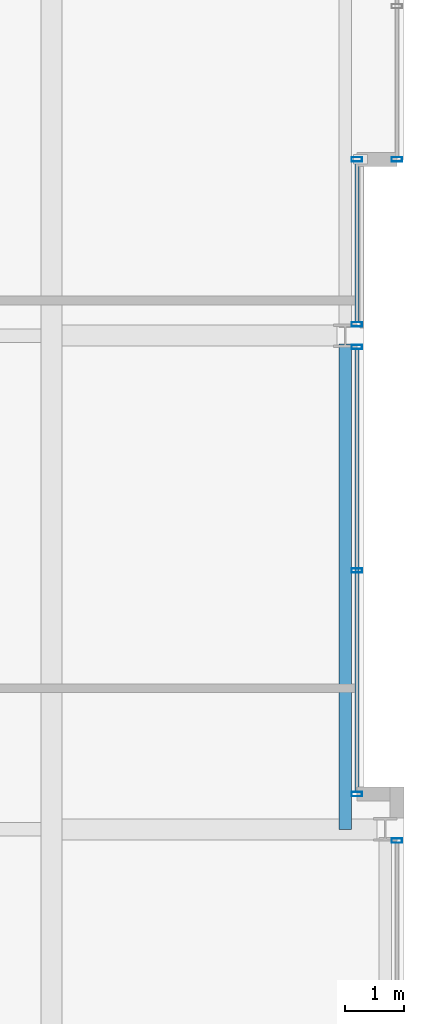
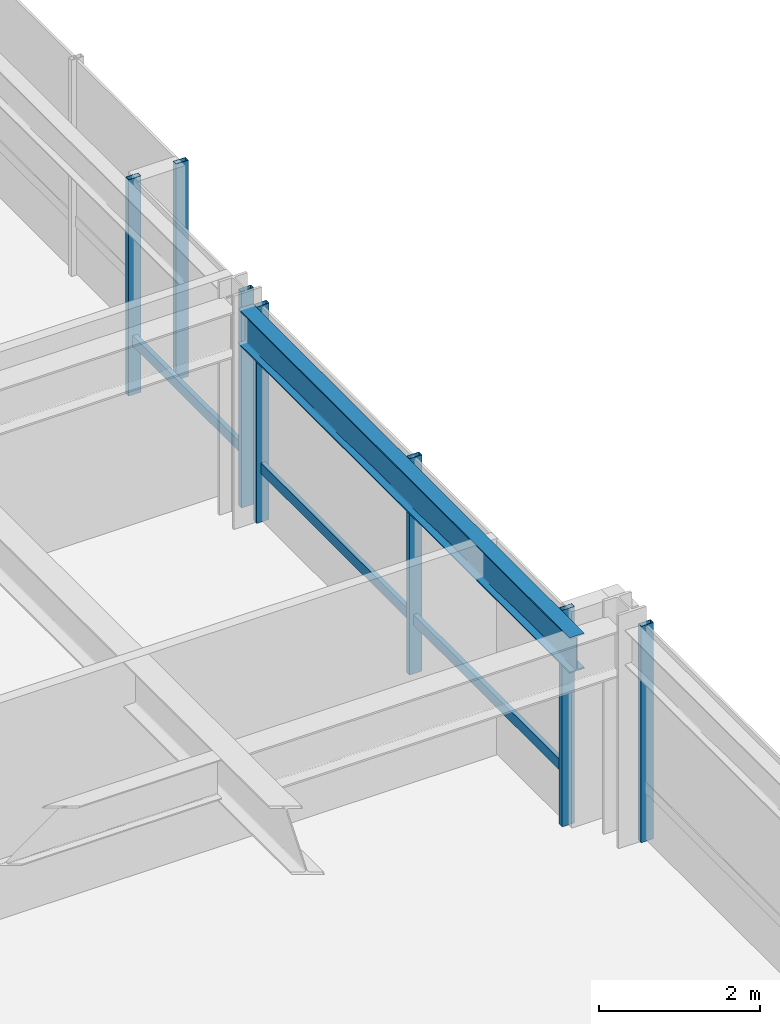
# One storey, part 15 of 32: 9 members, 1 beam, 4 elements without a shape of their own.
"""IFC4 building model written with IfcOpenShell, lengths in metres."""

import ifcopenshell
import ifcopenshell.guid

model = None  # the IFC model being written
_history = None  # IfcOwnerHistory: only IFC2X3 demands one
_inside = {}  # id of a spatial element -> (the spatial element, [elements in it])
_under = {}  # id of a project, library or spatial element -> (it, [spatial elements below it])
_declared = {}  # id of a project -> (the project, [libraries it declares])
_typed = {}  # id of a type object -> (the type object, [elements of that type])
_made_of = {}  # id of a material, layer set ... -> (it, [elements and type objects made of it])


def new_model(schema):
    """Start an empty IFC model of exactly this schema.

    Asked for "IFC4X3", IfcOpenShell would pick the latest addendum, in which some entities
    have other attributes; the version numbers below select the first issue.
    IFC2X3 requires an IfcOwnerHistory on every rooted entity: one is made here for all.
    """
    global model, _history
    if schema == "IFC4X3":
        model = ifcopenshell.file(schema_version=(4, 3, 0, 0))
    else:
        model = ifcopenshell.file(schema=schema)
    _inside.clear()
    _under.clear()
    _declared.clear()
    _typed.clear()
    _made_of.clear()
    _history = None
    if model.schema == "IFC2X3":
        org = make("IfcOrganization", Name="unknown")
        user = make(
            "IfcPersonAndOrganization",
            ThePerson=make("IfcPerson", FamilyName="unknown"),
            TheOrganization=org,
        )
        app = make(
            "IfcApplication",
            ApplicationDeveloper=org,
            Version="unknown",
            ApplicationFullName="unknown",
            ApplicationIdentifier="unknown",
        )
        _history = make(
            "IfcOwnerHistory",
            OwningUser=user,
            OwningApplication=app,
            ChangeAction="ADDED",
            CreationDate=0,
        )
    return model


def make(cls, **values):
    """One entity of the class cls with the attributes given. An attribute that is None is left unset."""
    return model.create_entity(
        cls, **{name: value for name, value in values.items() if value is not None}
    )


def rooted(cls, **values):
    """An entity with a GlobalId (a new one), such as an element, a storey or a relation."""
    return make(cls, GlobalId=ifcopenshell.guid.new(), OwnerHistory=_history, **values)


def si_unit(unit_type, name, prefix=None):
    """IfcSIUnit, for example si_unit("LENGTHUNIT", "METRE", prefix="MILLI")."""
    return make("IfcSIUnit", UnitType=unit_type, Prefix=prefix, Name=name)


def assignment(units):
    """IfcUnitAssignment: the units of a project."""
    return None if units is None else make("IfcUnitAssignment", Units=units)


def point(xyz):
    """IfcCartesianPoint."""
    return None if xyz is None else make("IfcCartesianPoint", Coordinates=xyz)


def direction(xyz):
    """IfcDirection."""
    return None if xyz is None else make("IfcDirection", DirectionRatios=xyz)


def frame(location, z_axis=None, x_axis=None):
    """IfcAxis2Placement3D, a coordinate frame: its origin and axes. An axis left out is left unset."""
    return make(
        "IfcAxis2Placement3D",
        Location=point(location),
        Axis=direction(z_axis),
        RefDirection=direction(x_axis),
    )


def frame_2d(location, x_axis=None):
    """IfcAxis2Placement2D, a coordinate frame in the plane: its origin and x axis."""
    return make(
        "IfcAxis2Placement2D", Location=point(location), RefDirection=direction(x_axis)
    )


def origin():
    """The frame at (0, 0, 0) with its axes left unset."""
    return frame((0.0, 0.0, 0.0))


def origin_2d():
    """The frame at (0, 0) in the plane with its x axis left unset."""
    return frame_2d((0.0, 0.0))


def place(relative_to, where):
    """IfcLocalPlacement: puts the frame where relative to a parent placement (None: the world)."""
    return make(
        "IfcLocalPlacement", PlacementRelTo=relative_to, RelativePlacement=where
    )


def context(
    kind, dimensions, precision=None, world=None, true_north=None, identifier=None
):
    """IfcGeometricRepresentationContext, for example the 3D "Model" context."""
    return make(
        "IfcGeometricRepresentationContext",
        ContextIdentifier=identifier,
        ContextType=kind,
        CoordinateSpaceDimension=dimensions,
        Precision=precision,
        WorldCoordinateSystem=world,
        TrueNorth=true_north,
    )


def subcontext(parent, identifier, kind, view, scale=None):
    """IfcGeometricRepresentationSubContext, for example "Body" below "Model"."""
    return make(
        "IfcGeometricRepresentationSubContext",
        ContextIdentifier=identifier,
        ContextType=kind,
        ParentContext=parent,
        TargetScale=scale,
        TargetView=view,
    )


def project(units=None, contexts=None):
    """IfcProject with its units and contexts."""
    return rooted(
        "IfcProject",
        Name="project",
        RepresentationContexts=contexts,
        UnitsInContext=assignment(units),
    )


def spatial(cls, under=None, at=None, **own):
    """A site, building, storey or space (cls), placed at a placement, below another one or the project."""
    s = rooted(cls, ObjectPlacement=at, **own)
    if under is not None:
        _under.setdefault(under.id(), (under, []))[1].append(s)
    return s


def profile(cls, at=None, kind="AREA", **sizes):
    """A parametric profile (cls). Its sizes go by their IFC names, for example OverallWidth=200.0."""
    return make(cls, ProfileType=kind, Position=at, **sizes)


def hollow_rectangle(**sizes):
    """IfcRectangleHollowProfileDef."""
    return profile("IfcRectangleHollowProfileDef", **sizes)


def i_section(**sizes):
    """IfcIShapeProfileDef."""
    return profile("IfcIShapeProfileDef", **sizes)


def extrude(swept, where, along, depth):
    """IfcExtrudedAreaSolid: the profile swept, set in the frame where, extruded along a direction by depth."""
    return make(
        "IfcExtrudedAreaSolid",
        SweptArea=swept,
        Position=where,
        ExtrudedDirection=direction(along),
        Depth=depth,
    )


def shape(context_of_items, identifier, shape_type, items):
    """IfcShapeRepresentation: the items that make up one representation, for example the "Body"."""
    return make(
        "IfcShapeRepresentation",
        ContextOfItems=context_of_items,
        RepresentationIdentifier=identifier,
        RepresentationType=shape_type,
        Items=items,
    )


def material(Name=None, Category=None):
    """IfcMaterial."""
    return make("IfcMaterial", Name=Name, Category=Category)


def layer(
    of_material, thickness, ventilated=None, Name=None, Category=None, Priority=None
):
    """IfcMaterialLayer: one layer of a wall or slab, of a material (None: an air gap)."""
    return make(
        "IfcMaterialLayer",
        Material=of_material,
        LayerThickness=thickness,
        IsVentilated=ventilated,
        Name=Name,
        Category=Category,
        Priority=Priority,
    )


def layer_set(layers, Name=None):
    """IfcMaterialLayerSet."""
    return make("IfcMaterialLayerSet", MaterialLayers=layers, LayerSetName=Name)


def material_profile(
    of_material, cross_section, Name=None, Category=None, Priority=None
):
    """IfcMaterialProfile: a cross section and its material."""
    return make(
        "IfcMaterialProfile",
        Name=Name,
        Material=of_material,
        Profile=cross_section,
        Priority=Priority,
        Category=Category,
    )


def profile_set(profiles, Name=None, composite=None):
    """IfcMaterialProfileSet."""
    return make(
        "IfcMaterialProfileSet",
        Name=Name,
        MaterialProfiles=profiles,
        CompositeProfile=composite,
    )


def made_of(thing, what):
    """Note that an element or type object is made of a material, layer set ...; save() writes the relation."""
    if what is not None:
        _made_of.setdefault(what.id(), (what, []))[1].append(thing)
    return thing


def type_object(cls, material=None, **own):
    """A type object (cls), such as IfcWallType, which elements share."""
    return made_of(rooted(cls, **own), material)


def element(
    cls,
    number,
    at=None,
    inside=None,
    cuts=None,
    type_object=None,
    material=None,
    context=None,
    identifier="Body",
    shape_type=None,
    held_by="IfcProductDefinitionShape",
    body=None,
    shapes=None,
    **own,
):
    """One element of the class cls, such as IfcWall. Its Tag is "e" and its number.

    at: its placement. inside: the storey or other place that contains it. cuts: it is an
    opening in that element (IfcRelVoidsElement). A single representation is given by context,
    identifier, shape_type and body (its items); several are given by shapes. held_by: the class
    of the entity that holds the representations. save() writes the other relations.
    """
    e = rooted(cls, Tag="e%d" % number, ObjectPlacement=at, **own)
    if body is not None:
        shapes = [shape(context, identifier, shape_type, body)]
    if shapes is not None:
        e.Representation = make(held_by, Representations=shapes)
    if inside is not None:
        _inside.setdefault(inside.id(), (inside, []))[1].append(e)
    if cuts is not None:
        rooted(
            "IfcRelVoidsElement", RelatingBuildingElement=cuts, RelatedOpeningElement=e
        )
    if type_object is not None:
        _typed.setdefault(type_object.id(), (type_object, []))[1].append(e)
    return made_of(e, material)


def aggregate(whole, parts):
    """IfcRelAggregates: a whole, such as a stair, and the parts it consists of."""
    return rooted("IfcRelAggregates", RelatingObject=whole, RelatedObjects=parts)


def save(model, path):
    """Write the relations noted so far, then the file.

    IfcRelAggregates (storeys below a building ...), IfcRelContainedInSpatialStructure (elements
    in a storey), IfcRelDefinesByType, IfcRelAssociatesMaterial and IfcRelDeclares: one each for
    every whole, place, type object, material and project.
    """
    for whole, parts in _under.values():
        aggregate(whole, parts)
    for where, things in _inside.values():
        rooted(
            "IfcRelContainedInSpatialStructure",
            RelatedElements=things,
            RelatingStructure=where,
        )
    for kind, things in _typed.values():
        rooted("IfcRelDefinesByType", RelatedObjects=things, RelatingType=kind)
    for what, things in _made_of.values():
        rooted("IfcRelAssociatesMaterial", RelatedObjects=things, RelatingMaterial=what)
    for by, libraries in _declared.values():
        rooted("IfcRelDeclares", RelatingContext=by, RelatedDefinitions=libraries)
    model.write(path)


model = new_model("IFC4")

# Units and contexts
model_context = context("Model", 3, precision=1e-05, world=origin(), true_north=direction((0.0, 1.0)))
body_context = subcontext(model_context, "Body", "Model", "MODEL_VIEW")
ifc_project = project(units=[si_unit("LENGTHUNIT", "METRE"), si_unit("AREAUNIT", "SQUARE_METRE"), si_unit("VOLUMEUNIT", "CUBIC_METRE"), si_unit("PLANEANGLEUNIT", "RADIAN"), si_unit("MASSUNIT", "GRAM", prefix="KILO")], contexts=[model_context])

# Site, building, storey
site_placement = place(None, origin())
site = spatial("IfcSite", under=ifc_project, at=site_placement, CompositionType="ELEMENT")
building_placement = place(site_placement, origin())
building = spatial("IfcBuilding", under=site, at=building_placement, Name="Drelvath Grand Hotel", CompositionType="ELEMENT")
storey_placement = place(building_placement, frame((0.0, 0.0, 189.449951171875)))
storey = spatial("IfcBuildingStorey", under=building, at=storey_placement, Name="L49", CompositionType="ELEMENT", Elevation=189.449951171875)

# Curtain wall, member
ifc_material_1 = material(Name="Brushed Pale-Silver Anodised Aluminium Frame", Category="aluminium")
ifc_layer = layer(ifc_material_1, 0.199951171875)
ifc_layer_set = layer_set([ifc_layer], Name="Brushed Pale-Silver Anodised Aluminium Frame")
curtain_wall_type = type_object("IfcCurtainWallType", Name="Stick Curtain Wall CW-04 Brushed Silver Upper-Mid", PredefinedType="NOTDEFINED", material=ifc_layer_set)
curtain_wall_1_placement = place(storey_placement, origin())
curtain_wall_1 = element("IfcCurtainWall", 1, at=curtain_wall_1_placement, inside=storey, type_object=curtain_wall_type, Name="L49 CW-04 Curtain Wall CW04-L49-EM1", PredefinedType="NOTDEFINED")
ifc_material_profile_1 = material_profile(ifc_material_1, hollow_rectangle(XDim=0.06494140625, YDim=0.159912109375, WallThickness=0.00390625, at=origin_2d()), Name="HSS160X65X4")
ifc_profile_set_1 = profile_set([ifc_material_profile_1], Name="Brushed Pale-Silver Anodised Aluminium Frame")
member_type_1 = type_object("IfcMemberType", Name="Curtain Wall Horizontal Transom CW-04 HSS160X65X4", PredefinedType="USERDEFINED", material=ifc_profile_set_1)
member_1_placement = place(storey_placement, frame((21.39990234375, 26.768310546875, 0.822509765625), z_axis=(0.0, -1.0, 0.0), x_axis=(1.0, 0.0, 0.0)))
member_1 = element("IfcMember", 2, at=member_1_placement, type_object=member_type_1, Name="CW04-L49-EM1 Sill Transom", ObjectType="TRANSOM", PredefinedType="USERDEFINED", context=body_context, shape_type="SweptSolid", body=[
    extrude(hollow_rectangle(XDim=0.06494140625, YDim=0.159912109375, WallThickness=0.00390625, at=origin_2d()), origin(), (0.0, 0.0, 1.0), 7.5283203125),
])

curtain_wall_2_placement = place(storey_placement, origin())
curtain_wall_2 = element("IfcCurtainWall", 3, at=curtain_wall_2_placement, inside=storey, type_object=curtain_wall_type, Name="L49 CW-04 Curtain Wall CW04-L49-EM2", PredefinedType="NOTDEFINED")
member_2_placement = place(storey_placement, frame((21.39990234375, 29.9599609375, 0.822509765625), z_axis=(0.0, -1.0, 0.0), x_axis=(1.0, 0.0, 0.0)))
member_2 = element("IfcMember", 4, at=member_2_placement, type_object=member_type_1, Name="CW04-L49-EM2 Sill Transom", ObjectType="TRANSOM", PredefinedType="USERDEFINED", context=body_context, shape_type="SweptSolid", body=[
    extrude(hollow_rectangle(XDim=0.06494140625, YDim=0.159912109375, WallThickness=0.00390625, at=origin_2d()), origin(), (0.0, 0.0, 1.0), 2.728271484375),
])

curtain_wall_3_placement = place(storey_placement, origin())
curtain_wall_3 = element("IfcCurtainWall", 5, at=curtain_wall_3_placement, inside=storey, type_object=curtain_wall_type, Name="L49 CW-04 Curtain Wall CW04-L49-EN1", PredefinedType="NOTDEFINED")
ifc_material_profile_2 = material_profile(ifc_material_1, hollow_rectangle(XDim=0.074951171875, YDim=0.179931640625, WallThickness=0.0048828125, at=origin_2d()), Name="HSS180X75X5")
ifc_profile_set_2 = profile_set([ifc_material_profile_2], Name="Brushed Pale-Silver Anodised Aluminium Frame")
member_type_2 = type_object("IfcMemberType", Name="Curtain Wall Vertical Mullion CW-04 HSS180X75X5", PredefinedType="MULLION", material=ifc_profile_set_2)
member_3_placement = place(storey_placement, frame((22.080078125, 30.0, 0.0), z_axis=(0.0, 0.0, 1.0), x_axis=(0.0, 1.0, 0.0)))
member_3 = element("IfcMember", 6, at=member_3_placement, type_object=member_type_2, Name="CW04-L49-EN1 Mullion 3", PredefinedType="MULLION", context=body_context, shape_type="SweptSolid", body=[
    extrude(hollow_rectangle(XDim=0.074951171875, YDim=0.179931640625, WallThickness=0.0048828125, at=origin_2d()), origin(), (0.0, 0.0, 1.0), 3.2900390625),
])
aggregate(curtain_wall_3, [member_3])

# Member
member_4_placement = place(storey_placement, frame((21.39990234375, 26.808349609375, 0.0), z_axis=(0.0, 0.0, 1.0), x_axis=(0.0, 1.0, 0.0)))
member_4 = element("IfcMember", 7, at=member_4_placement, type_object=member_type_2, Name="CW04-L49-EM1 Mullion 1", PredefinedType="MULLION", context=body_context, shape_type="SweptSolid", body=[
    extrude(hollow_rectangle(XDim=0.074951171875, YDim=0.179931640625, WallThickness=0.0048828125, at=origin_2d()), origin(), (0.0, 0.0, 1.0), 3.2900390625),
])

member_5_placement = place(storey_placement, frame((21.39990234375, 23.004150390625, 0.0), z_axis=(0.0, 0.0, 1.0), x_axis=(0.0, 1.0, 0.0)))
member_5 = element("IfcMember", 8, at=member_5_placement, type_object=member_type_2, Name="CW04-L49-EM1 Mullion 2", PredefinedType="MULLION", context=body_context, shape_type="SweptSolid", body=[
    extrude(hollow_rectangle(XDim=0.074951171875, YDim=0.179931640625, WallThickness=0.0048828125, at=origin_2d()), origin(), (0.0, 0.0, 1.0), 3.2900390625),
])

member_6_placement = place(storey_placement, frame((21.39990234375, 19.199951171875, 0.0), z_axis=(0.0, 0.0, 1.0), x_axis=(0.0, 1.0, 0.0)))
member_6 = element("IfcMember", 9, at=member_6_placement, type_object=member_type_2, Name="CW04-L49-EM1 Mullion 3", PredefinedType="MULLION", context=body_context, shape_type="SweptSolid", body=[
    extrude(hollow_rectangle(XDim=0.074951171875, YDim=0.179931640625, WallThickness=0.0048828125, at=origin_2d()), origin(), (0.0, 0.0, 1.0), 3.2900390625),
])

aggregate(curtain_wall_1, [member_4, member_5, member_6, member_1])

member_7_placement = place(storey_placement, frame((21.39990234375, 30.0, 0.0), z_axis=(0.0, 0.0, 1.0), x_axis=(0.0, 1.0, 0.0)))
member_7 = element("IfcMember", 10, at=member_7_placement, type_object=member_type_2, Name="CW04-L49-EM2 Mullion 1", PredefinedType="MULLION", context=body_context, shape_type="SweptSolid", body=[
    extrude(hollow_rectangle(XDim=0.074951171875, YDim=0.179931640625, WallThickness=0.0048828125, at=origin_2d()), origin(), (0.0, 0.0, 1.0), 3.2900390625),
])

member_8_placement = place(storey_placement, frame((21.39990234375, 27.191650390625, 0.0), z_axis=(0.0, 0.0, 1.0), x_axis=(0.0, 1.0, 0.0)))
member_8 = element("IfcMember", 11, at=member_8_placement, type_object=member_type_2, Name="CW04-L49-EM2 Mullion 2", PredefinedType="MULLION", context=body_context, shape_type="SweptSolid", body=[
    extrude(hollow_rectangle(XDim=0.074951171875, YDim=0.179931640625, WallThickness=0.0048828125, at=origin_2d()), origin(), (0.0, 0.0, 1.0), 3.2900390625),
])

aggregate(curtain_wall_2, [member_7, member_8, member_2])

# Curtain wall, member
curtain_wall_4_placement = place(storey_placement, origin())
curtain_wall_4 = element("IfcCurtainWall", 12, at=curtain_wall_4_placement, inside=storey, type_object=curtain_wall_type, Name="L49 CW-04 Curtain Wall CW04-L49-ES2", PredefinedType="NOTDEFINED")
member_9_placement = place(storey_placement, frame((22.080078125, 18.408447265625, 0.0), z_axis=(0.0, 0.0, 1.0), x_axis=(0.0, 1.0, 0.0)))
member_9 = element("IfcMember", 13, at=member_9_placement, type_object=member_type_2, Name="CW04-L49-ES2 Mullion 1", PredefinedType="MULLION", context=body_context, shape_type="SweptSolid", body=[
    extrude(hollow_rectangle(XDim=0.074951171875, YDim=0.179931640625, WallThickness=0.0048828125, at=origin_2d()), origin(), (0.0, 0.0, 1.0), 3.2900390625),
])
aggregate(curtain_wall_4, [member_9])

# Beam
ifc_material_2 = material(Name="Steel ASTM A992 Gr 50", Category="steel")
ifc_material_profile_3 = material_profile(ifc_material_2, i_section(OverallWidth=0.210205078125, OverallDepth=0.53662109375, WebThickness=0.010986328125, FlangeThickness=0.017333984375, FilletRadius=0.01806640625, at=origin_2d()), Name="W21X68")
ifc_profile_set_3 = profile_set([ifc_material_profile_3], Name="Steel ASTM A992 Gr 50")
beam_type = type_object("IfcBeamType", Name="Perimeter Spandrel Beam W21X68", PredefinedType="SPANDREL", material=ifc_profile_set_3)
beam_placement = place(storey_placement, frame((21.199951171875, 18.60009765625, 3.021728515625), z_axis=(0.0, 1.0, 0.0), x_axis=(-1.0, 0.0, 0.0)))
element("IfcBeam", 14, at=beam_placement, inside=storey, type_object=beam_type, Name="L49 Spandrel East Mid S", PredefinedType="SPANDREL", context=body_context, shape_type="SweptSolid", body=[
    extrude(i_section(OverallWidth=0.210205078125, OverallDepth=0.53662109375, WebThickness=0.010986328125, FlangeThickness=0.017333984375, FilletRadius=0.01806640625, at=origin_2d()), origin(), (0.0, 0.0, 1.0), 8.260009765625),
])

save(model, "model.ifc")
